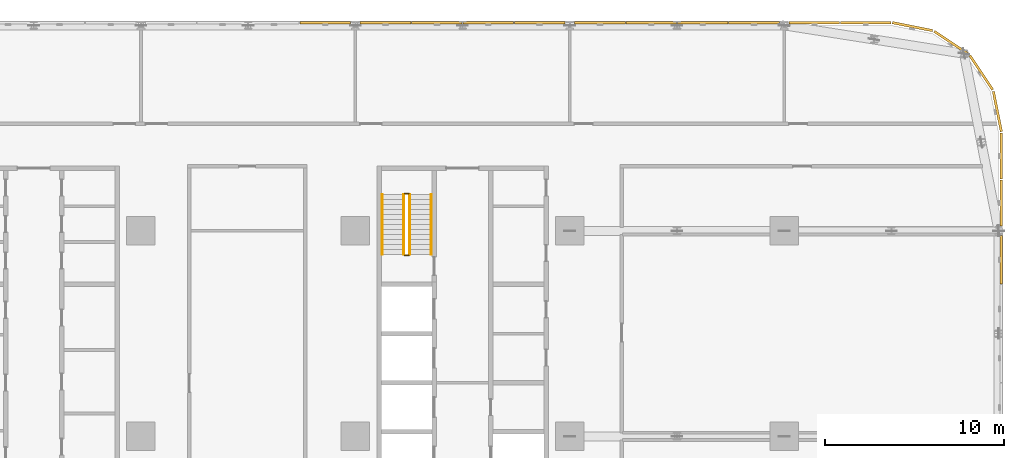
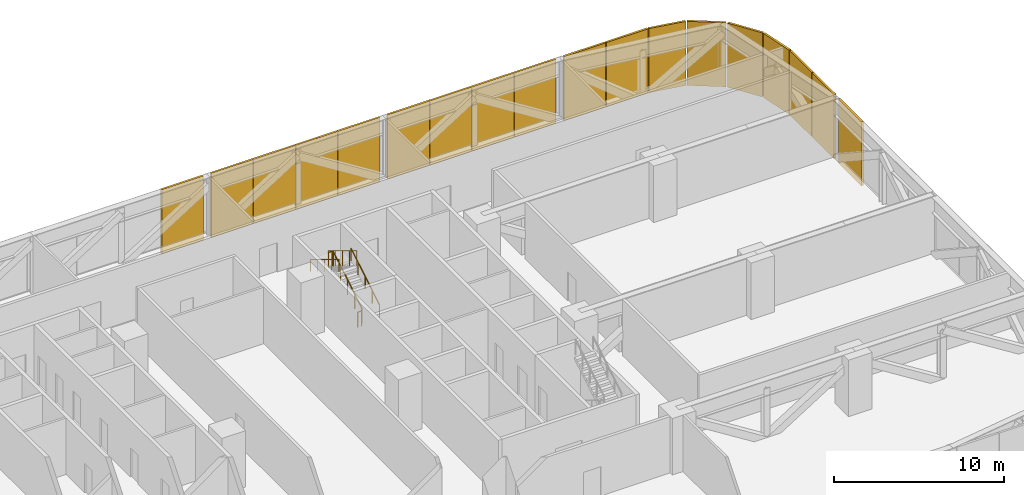
# One storey, part 25 of 25: 18 coverings, 6 railings.
"""IFC4 building model written with IfcOpenShell, lengths in metres."""

from ifc_helpers import new_model, si_unit, direction, frame, origin, origin_2d, place, context, subcontext, project, spatial, rectangle, circle, extrude, material, type_object, element, save


model = new_model("IFC4")

# Units and contexts
model_context = context("Model", 3, precision=1e-05, world=origin(), true_north=direction((0.0, 1.0)))
body_context = subcontext(model_context, "Body", "Model", "MODEL_VIEW")
ifc_project = project(units=[si_unit("LENGTHUNIT", "METRE"), si_unit("AREAUNIT", "SQUARE_METRE"), si_unit("VOLUMEUNIT", "CUBIC_METRE"), si_unit("PLANEANGLEUNIT", "RADIAN"), si_unit("MASSUNIT", "GRAM", prefix="KILO")], contexts=[model_context])

# Site, building, storey
site_placement = place(None, origin())
site = spatial("IfcSite", under=ifc_project, at=site_placement, CompositionType="ELEMENT")
building_placement = place(site_placement, origin())
building = spatial("IfcBuilding", under=site, at=building_placement, Name="Mahtab Terrace Research Tower", CompositionType="ELEMENT")
storey_placement = place(building_placement, frame((0.0, 0.0, 41.60009765625)))
storey = spatial("IfcBuildingStorey", under=building, at=storey_placement, Name="L09", CompositionType="ELEMENT", Elevation=41.60009765625)

# Coverings
ifc_material_1 = material(Name="Natural anodised aluminium", Category="aluminium")
covering_type = type_object("IfcCoveringType", Name="Plant storey louvre bay", PredefinedType="CLADDING", material=ifc_material_1)
covering_placement = place(storey_placement, frame((54.159912109375, 9.884033203125, -0.55029296875), z_axis=(0.0, 0.0, 1.0), x_axis=(0.0, 1.0, 0.0)))
element("IfcCovering", 1, at=covering_placement, inside=storey, type_object=covering_type, Name="Louvre bay L09 16", PredefinedType="CLADDING", context=body_context, shape_type="SweptSolid", body=[
    extrude(rectangle(XDim=2.716064453125, YDim=0.139892578125, at=origin_2d()), origin(), (0.0, 0.0, 1.0), 4.610107421875),
])
for number, where, z_axis, x_axis, name in (
    (2, (54.159912109375, 13.053466796875, -0.55029296875), (0.0, 0.0, 1.0), (0.0, 1.0, 0.0), "Louvre bay L09 17"),
    (3, (54.159912109375, 15.6845703125, -0.55029296875), (0.0, 0.0, 1.0), (0.0, 1.0, 0.0), "Louvre bay L09 18"),
):
    element("IfcCovering", number, at=place(storey_placement, frame(where, z_axis=z_axis, x_axis=x_axis)), inside=storey, type_object=covering_type, Name=name, PredefinedType="CLADDING", context=body_context, shape_type="SweptSolid", body=[
        extrude(rectangle(XDim=2.591064453125, YDim=0.139892578125, at=origin_2d()), origin(), (0.0, 0.0, 1.0), 4.610107421875),
    ])
for number, where, z_axis, x_axis, name in (
    (4, (53.928466796875, 18.17919921875, -0.55029296875), (0.0, 0.0, 1.0), (-0.195212442692, 0.980760981187, 0.0), "Louvre bay L09 19"),
    (5, (53.026123046875, 20.3583984375, -0.55029296875), (0.0, 0.0, 1.0), (-0.555291490808, 0.831655794326, 0.0), "Louvre bay L09 20"),
    (6, (51.3583984375, 22.026123046875, -0.55029296875), (0.0, 0.0, 1.0), (-0.831655794326, 0.555291490808, 0.0), "Louvre bay L09 21"),
    (7, (49.17919921875, 22.928466796875, -0.55029296875), (0.0, 0.0, 1.0), (-0.980760981187, 0.195212442692, 0.0), "Louvre bay L09 22"),
):
    element("IfcCovering", number, at=place(storey_placement, frame(where, z_axis=z_axis, x_axis=x_axis)), inside=storey, type_object=covering_type, Name=name, PredefinedType="CLADDING", context=body_context, shape_type="SweptSolid", body=[
        extrude(rectangle(XDim=2.301025390625, YDim=0.139892578125, at=origin_2d()), origin(), (0.0, 0.0, 1.0), 4.610107421875),
    ])
for number, where, z_axis, x_axis, name in (
    (8, (46.562255859375, 23.159912109375, -0.55029296875), (0.0, 0.0, 1.0), (-1.0, 0.0, 0.0), "Louvre bay L09 23"),
    (9, (43.686767578125, 23.159912109375, -0.55029296875), (0.0, 0.0, 1.0), (-1.0, 0.0, 0.0), "Louvre bay L09 24"),
    (10, (40.313232421875, 23.159912109375, -0.55029296875), (0.0, 0.0, 1.0), (-1.0, 0.0, 0.0), "Louvre bay L09 25"),
    (11, (37.437744140625, 23.159912109375, -0.55029296875), (0.0, 0.0, 1.0), (-1.0, 0.0, 0.0), "Louvre bay L09 26"),
    (12, (34.562255859375, 23.159912109375, -0.55029296875), (0.0, 0.0, 1.0), (-1.0, 0.0, 0.0), "Louvre bay L09 27"),
    (13, (31.686767578125, 23.159912109375, -0.55029296875), (0.0, 0.0, 1.0), (-1.0, 0.0, 0.0), "Louvre bay L09 28"),
    (14, (28.313232421875, 23.159912109375, -0.55029296875), (0.0, 0.0, 1.0), (-1.0, 0.0, 0.0), "Louvre bay L09 29"),
    (15, (25.437744140625, 23.159912109375, -0.55029296875), (0.0, 0.0, 1.0), (-1.0, 0.0, 0.0), "Louvre bay L09 30"),
    (16, (22.562255859375, 23.159912109375, -0.55029296875), (0.0, 0.0, 1.0), (-1.0, 0.0, 0.0), "Louvre bay L09 31"),
    (17, (19.686767578125, 23.159912109375, -0.55029296875), (0.0, 0.0, 1.0), (-1.0, 0.0, 0.0), "Louvre bay L09 32"),
    (18, (16.313232421875, 23.159912109375, -0.55029296875), (0.0, 0.0, 1.0), (-1.0, 0.0, 0.0), "Louvre bay L09 33"),
):
    element("IfcCovering", number, at=place(storey_placement, frame(where, z_axis=z_axis, x_axis=x_axis)), inside=storey, type_object=covering_type, Name=name, PredefinedType="CLADDING", context=body_context, shape_type="SweptSolid", body=[
        extrude(rectangle(XDim=2.83544921875, YDim=0.139892578125, at=origin_2d()), origin(), (0.0, 0.0, 1.0), 4.610107421875),
    ])

# Railings
ifc_material_2 = material(Name="Stainless steel AISI 304", Category="steel")
railing_type_1 = type_object("IfcRailingType", Name="Stair guard 1100", PredefinedType="GUARDRAIL", material=ifc_material_2)
railing_1_placement = place(storey_placement, frame((21.050048828125, 10.175048828125, 0.169189453125)))
element("IfcRailing", 19, at=railing_1_placement, inside=storey, type_object=railing_type_1, Name="L09 ST3 stair guard 1", PredefinedType="GUARDRAIL", context=body_context, shape_type="SweptSolid", body=[
    extrude(circle(Radius=0.02392578125, at=origin_2d()), frame((0.0, 0.0, 1.076171875), z_axis=(0.0, 0.855820338506, 0.51727318527), x_axis=(-1.0, 0.0, 0.0)), (0.0, 0.0, 1.0), 3.92578125),
    extrude(circle(Radius=0.02099609375, at=origin_2d()), origin(), (0.0, 0.0, 1.0), 1.052001953125),
    extrude(circle(Radius=0.02099609375, at=origin_2d()), frame((0.0, 0.83984375, 0.5078125)), (0.0, 0.0, 1.0), 1.052001953125),
    extrude(circle(Radius=0.02099609375, at=origin_2d()), frame((0.0, 1.679931640625, 1.015380859375)), (0.0, 0.0, 1.0), 1.052001953125),
    extrude(circle(Radius=0.02099609375, at=origin_2d()), frame((0.0, 2.52001953125, 1.52294921875)), (0.0, 0.0, 1.0), 1.052001953125),
    extrude(circle(Radius=0.02099609375, at=origin_2d()), frame((0.0, 3.35986328125, 2.03076171875)), (0.0, 0.0, 1.0), 1.052001953125),
])
railing_2_placement = place(storey_placement, frame((21.0, 13.5849609375, 2.199951171875)))
element("IfcRailing", 20, at=railing_2_placement, inside=storey, type_object=railing_type_1, Name="L09 ST3 stair guard 2", PredefinedType="GUARDRAIL", context=body_context, shape_type="SweptSolid", body=[
    extrude(circle(Radius=0.02392578125, at=origin_2d()), frame((0.0, 0.0, 1.076171875), z_axis=(-1.0, 0.0, 0.0), x_axis=(0.0, -1.0, 0.0)), (0.0, 0.0, 1.0), 0.25),
    extrude(circle(Radius=0.02099609375, at=origin_2d()), origin(), (0.0, 0.0, 1.0), 1.052001953125),
    extrude(circle(Radius=0.02099609375, at=origin_2d()), frame((-0.25, 0.0, 0.0)), (0.0, 0.0, 1.0), 1.052001953125),
])
railing_3_placement = place(storey_placement, frame((20.699951171875, 13.534912109375, 2.369140625)))
element("IfcRailing", 21, at=railing_3_placement, inside=storey, type_object=railing_type_1, Name="L09 ST3 stair guard 3", PredefinedType="GUARDRAIL", context=body_context, shape_type="SweptSolid", body=[
    extrude(circle(Radius=0.02392578125, at=origin_2d()), frame((0.0, 0.0, 1.076171875), z_axis=(0.0, -0.855820338506, 0.51727318527), x_axis=(1.0, 0.0, 0.0)), (0.0, 0.0, 1.0), 3.92578125),
    extrude(circle(Radius=0.02099609375, at=origin_2d()), origin(), (0.0, 0.0, 1.0), 1.052001953125),
    extrude(circle(Radius=0.02099609375, at=origin_2d()), frame((0.0, -0.83984375, 0.5078125)), (0.0, 0.0, 1.0), 1.052001953125),
    extrude(circle(Radius=0.02099609375, at=origin_2d()), frame((0.0, -1.679931640625, 1.015380859375)), (0.0, 0.0, 1.0), 1.052001953125),
    extrude(circle(Radius=0.02099609375, at=origin_2d()), frame((0.0, -2.52001953125, 1.52294921875)), (0.0, 0.0, 1.0), 1.052001953125),
    extrude(circle(Radius=0.02099609375, at=origin_2d()), frame((0.0, -3.35986328125, 2.03076171875)), (0.0, 0.0, 1.0), 1.052001953125),
])
railing_4_placement = place(storey_placement, frame((21.0, 10.125, 0.0)))
element("IfcRailing", 22, at=railing_4_placement, inside=storey, type_object=railing_type_1, Name="L09 ST3 stair guard 4", PredefinedType="GUARDRAIL", context=body_context, shape_type="SweptSolid", body=[
    extrude(circle(Radius=0.02392578125, at=origin_2d()), frame((0.0, 0.0, 1.076171875), z_axis=(-1.0, 0.0, 0.0), x_axis=(0.0, -1.0, 0.0)), (0.0, 0.0, 1.0), 0.25),
    extrude(circle(Radius=0.02099609375, at=origin_2d()), origin(), (0.0, 0.0, 1.0), 1.052001953125),
    extrude(circle(Radius=0.02099609375, at=origin_2d()), frame((-0.25, 0.0, 0.0)), (0.0, 0.0, 1.0), 1.052001953125),
])
railing_type_2 = type_object("IfcRailingType", Name="Stair handrail 900", PredefinedType="HANDRAIL", material=ifc_material_2)
railing_5_placement = place(storey_placement, frame((22.25, 10.175048828125, 0.169189453125)))
element("IfcRailing", 23, at=railing_5_placement, inside=storey, type_object=railing_type_2, Name="L09 ST3 stair handrail 1", PredefinedType="HANDRAIL", context=body_context, shape_type="SweptSolid", body=[
    extrude(circle(Radius=0.02392578125, at=origin_2d()), frame((0.0, 0.0, 0.8759765625), z_axis=(0.0, 0.855820338506, 0.51727318527), x_axis=(-1.0, 0.0, 0.0)), (0.0, 0.0, 1.0), 3.92578125),
    extrude(circle(Radius=0.02099609375, at=origin_2d()), origin(), (0.0, 0.0, 1.0), 0.851806640625),
    extrude(circle(Radius=0.02099609375, at=origin_2d()), frame((0.0, 0.83984375, 0.5078125)), (0.0, 0.0, 1.0), 0.851806640625),
    extrude(circle(Radius=0.02099609375, at=origin_2d()), frame((0.0, 1.679931640625, 1.015380859375)), (0.0, 0.0, 1.0), 0.851806640625),
    extrude(circle(Radius=0.02099609375, at=origin_2d()), frame((0.0, 2.52001953125, 1.52294921875)), (0.0, 0.0, 1.0), 0.851806640625),
    extrude(circle(Radius=0.02099609375, at=origin_2d()), frame((0.0, 3.35986328125, 2.03076171875)), (0.0, 0.0, 1.0), 0.851806640625),
])
railing_6_placement = place(storey_placement, frame((19.5, 13.534912109375, 2.369140625)))
element("IfcRailing", 24, at=railing_6_placement, inside=storey, type_object=railing_type_2, Name="L09 ST3 stair handrail 2", PredefinedType="HANDRAIL", context=body_context, shape_type="SweptSolid", body=[
    extrude(circle(Radius=0.02392578125, at=origin_2d()), frame((0.0, 0.0, 0.8759765625), z_axis=(0.0, -0.855820338506, 0.51727318527), x_axis=(1.0, 0.0, 0.0)), (0.0, 0.0, 1.0), 3.92578125),
    extrude(circle(Radius=0.02099609375, at=origin_2d()), origin(), (0.0, 0.0, 1.0), 0.851806640625),
    extrude(circle(Radius=0.02099609375, at=origin_2d()), frame((0.0, -0.83984375, 0.5078125)), (0.0, 0.0, 1.0), 0.851806640625),
    extrude(circle(Radius=0.02099609375, at=origin_2d()), frame((0.0, -1.679931640625, 1.015380859375)), (0.0, 0.0, 1.0), 0.851806640625),
    extrude(circle(Radius=0.02099609375, at=origin_2d()), frame((0.0, -2.52001953125, 1.52294921875)), (0.0, 0.0, 1.0), 0.851806640625),
    extrude(circle(Radius=0.02099609375, at=origin_2d()), frame((0.0, -3.35986328125, 2.03076171875)), (0.0, 0.0, 1.0), 0.851806640625),
])

save(model, "model.ifc")
